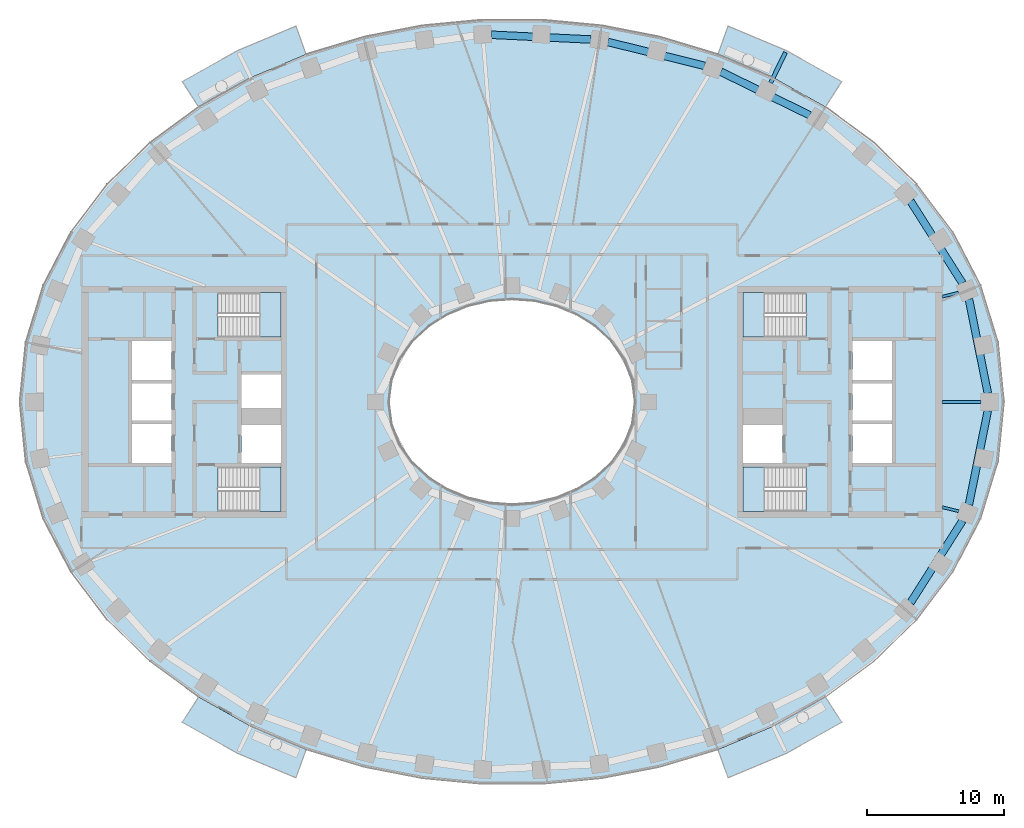
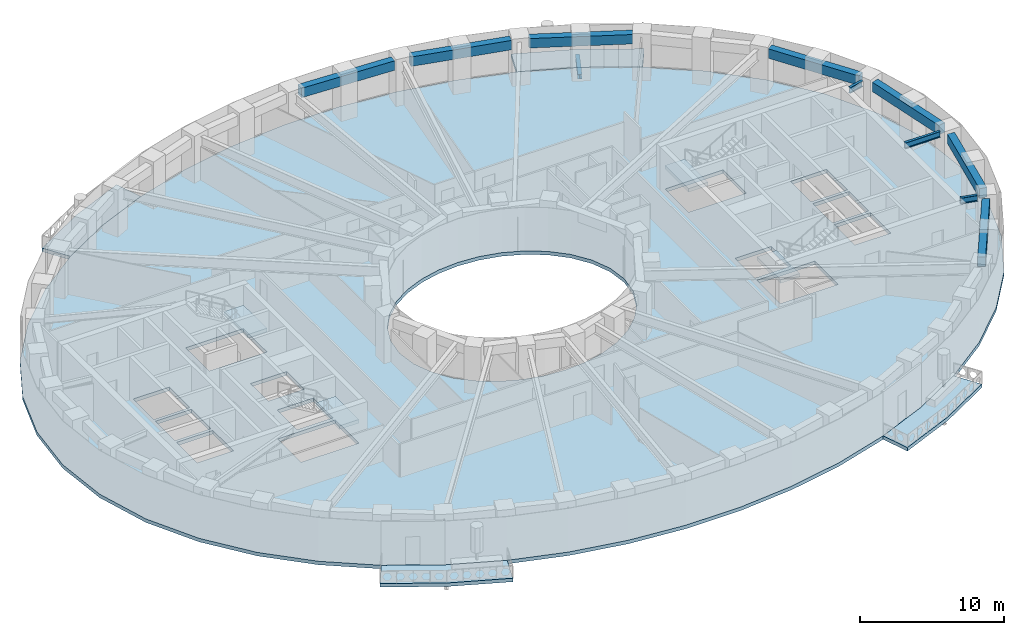
# One storey, part 2 of 15: 11 beams, 9 slabs, 4 elements without a shape of their own.
"""IFC4 building model written with IfcOpenShell, lengths in metres."""

from ifc_helpers import new_model, si_unit, direction, frame, origin, origin_2d, place, context, subcontext, project, spatial, polyline, rectangle, i_section, outline, extrude, material, layer, layer_set, material_profile, profile_set, type_object, element, aggregate, save


model = new_model("IFC4")

# Units and contexts
model_context = context("Model", 3, precision=1e-05, world=origin(), true_north=direction((0.0, 1.0)))
body_context = subcontext(model_context, "Body", "Model", "MODEL_VIEW")
ifc_project = project(units=[si_unit("LENGTHUNIT", "METRE"), si_unit("AREAUNIT", "SQUARE_METRE"), si_unit("VOLUMEUNIT", "CUBIC_METRE"), si_unit("PLANEANGLEUNIT", "RADIAN"), si_unit("MASSUNIT", "GRAM", prefix="KILO")], contexts=[model_context])

# Site, building, storey
site_placement = place(None, origin())
site = spatial("IfcSite", under=ifc_project, at=site_placement, CompositionType="ELEMENT")
building_placement = place(site_placement, origin())
building = spatial("IfcBuilding", under=site, at=building_placement, Name="Noorbagh Ring Tower", CompositionType="ELEMENT")
storey_placement = place(building_placement, frame((0.0, 0.0, 104.0)))
storey = spatial("IfcBuildingStorey", under=building, at=storey_placement, Name="L23", CompositionType="ELEMENT", Elevation=104.0)

# Beams
ifc_material_1 = material(Name="Steel S355", Category="steel")
ifc_material_profile_1 = material_profile(ifc_material_1, i_section(OverallWidth=0.300048828125, OverallDepth=0.39990234375, WebThickness=0.013427734375, FlangeThickness=0.02392578125, FilletRadius=0.027099609375, at=origin_2d()), Name="HEB400")
ifc_profile_set_1 = profile_set([ifc_material_profile_1], Name="Steel S355")
beam_type_1 = type_object("IfcBeamType", Name="STR-BALCONY-BRACKET-HEB400", PredefinedType="BEAM", material=ifc_profile_set_1)
beam_1_placement = place(storey_placement, frame((18.923095703125, 23.351318359375, -0.5), z_axis=(0.439226053648, 0.89837657683, 0.0), x_axis=(-0.89837657683, 0.439226053648, 0.0)))
element("IfcBeam", 1, at=beam_1_placement, inside=storey, type_object=beam_type_1, Name="Balcony bracket beam BN02", PredefinedType="BEAM", context=body_context, shape_type="SweptSolid", body=[
    extrude(i_section(OverallWidth=0.300048828125, OverallDepth=0.39990234375, WebThickness=0.013427734375, FlangeThickness=0.02392578125, FilletRadius=0.027099609375, at=origin_2d()), origin(), (0.0, 0.0, 1.0), 2.47509765625),
])
ifc_material_2 = material(Name="Steel S355", Category="steel")
ifc_material_profile_2 = material_profile(ifc_material_2, i_section(OverallWidth=0.199951171875, OverallDepth=0.5, WebThickness=0.01025390625, FlangeThickness=0.01611328125, FilletRadius=0.02099609375, at=origin_2d()), Name="IPE500")
ifc_profile_set_2 = profile_set([ifc_material_profile_2], Name="Steel S355")
beam_type_2 = type_object("IfcBeamType", Name="STR-RAD-IPE500", PredefinedType="BEAM", material=ifc_profile_set_2)
beam_2_placement = place(storey_placement, frame((34.314697265625, 0.0, 3.449951171875), z_axis=(-1.0, 0.0, 0.0), x_axis=(0.0, -1.0, 0.0)))
element("IfcBeam", 2, at=beam_2_placement, inside=storey, type_object=beam_type_2, Name="L23/bm/RD01", PredefinedType="BEAM", context=body_context, shape_type="SweptSolid", body=[
    extrude(i_section(OverallWidth=0.199951171875, OverallDepth=0.5, WebThickness=0.01025390625, FlangeThickness=0.01611328125, FilletRadius=0.02099609375, at=origin_2d()), origin(), (0.0, 0.0, 1.0), 2.834716796875),
])
for number, where, z_axis, x_axis, name in (
    (3, (32.686279296875, 7.997802734375, 3.449951171875), (-0.971367746696, -0.237580935009, 0.0), (0.237580935009, -0.971367746696, 0.0), "L23/bm/RD03"),
    (4, (32.686279296875, -7.997802734375, 3.449951171875), (-0.971367746696, 0.237580935009, 0.0), (-0.237580935009, -0.971367746696, 0.0), "L23/bm/RD45"),
):
    element("IfcBeam", number, at=place(storey_placement, frame(where, z_axis=z_axis, x_axis=x_axis)), inside=storey, type_object=beam_type_2, Name=name, PredefinedType="BEAM", context=body_context, shape_type="SweptSolid", body=[
        extrude(i_section(OverallWidth=0.199951171875, OverallDepth=0.5, WebThickness=0.01025390625, FlangeThickness=0.01611328125, FilletRadius=0.02099609375, at=origin_2d()), origin(), (0.0, 0.0, 1.0), 1.241455078125),
    ])
ifc_material_3 = material(Name="Concrete C40/50", Category="concrete")
ifc_material_profile_3 = material_profile(ifc_material_3, rectangle(XDim=0.550048828125, YDim=0.800048828125, at=origin_2d()), Name="RC550x800")
ifc_profile_set_3 = profile_set([ifc_material_profile_3], Name="Concrete C40/50")
beam_type_3 = type_object("IfcBeamType", Name="STR-SB-RC550x800-C40-50", PredefinedType="BEAM", material=ifc_profile_set_3)
beam_3_placement = place(storey_placement, frame((34.81787109375, 0.63037109375, 3.300048828125), z_axis=(-0.197218334535, 0.980359591437, 0.0), x_axis=(-0.980359591437, -0.197218334535, 0.0)))
element("IfcBeam", 5, at=beam_3_placement, inside=storey, type_object=beam_type_3, Name="L23/bm/SP01", PredefinedType="BEAM", context=body_context, shape_type="SweptSolid", body=[
    extrude(rectangle(XDim=0.550048828125, YDim=0.800048828125, at=origin_2d()), origin(), (0.0, 0.0, 1.0), 7.027587890625),
])
beam_4_placement = place(storey_placement, frame((32.962646484375, 8.690185546875, 3.300048828125), z_axis=(-0.535215588854, 0.844715498525, 0.0), x_axis=(-0.844715498525, -0.535215588854, 0.0)))
element("IfcBeam", 6, at=beam_4_placement, inside=storey, type_object=beam_type_3, Name="L23/bm/SP03", PredefinedType="BEAM", context=body_context, shape_type="SweptSolid", body=[
    extrude(rectangle(XDim=0.550048828125, YDim=0.800048828125, at=origin_2d()), origin(), (0.0, 0.0, 1.0), 7.104248046875),
])
beam_5_placement = place(storey_placement, frame((21.7919921875, 20.978759765625, 3.300048828125), z_axis=(-0.898412117145, 0.43915335336, 0.0), x_axis=(-0.43915335336, -0.898412117145, 0.0)))
element("IfcBeam", 7, at=beam_5_placement, inside=storey, type_object=beam_type_3, Name="L23/bm/SP07", PredefinedType="BEAM", context=body_context, shape_type="SweptSolid", body=[
    extrude(rectangle(XDim=0.550048828125, YDim=0.800048828125, at=origin_2d()), origin(), (0.0, 0.0, 1.0), 7.249267578125),
])
beam_6_placement = place(storey_placement, frame((14.094482421875, 24.5927734375, 3.300048828125), z_axis=(-0.970826778955, 0.239781911877, 0.0), x_axis=(-0.239781911877, -0.970826778955, 0.0)))
element("IfcBeam", 8, at=beam_6_placement, inside=storey, type_object=beam_type_3, Name="L23/bm/SP09", PredefinedType="BEAM", context=body_context, shape_type="SweptSolid", body=[
    extrude(rectangle(XDim=0.550048828125, YDim=0.800048828125, at=origin_2d()), origin(), (0.0, 0.0, 1.0), 7.282958984375),
])
beam_7_placement = place(storey_placement, frame((5.77685546875, 26.52099609375, 3.300048828125), z_axis=(-0.998868894653, 0.047549251258, 0.0), x_axis=(-0.047549251258, -0.998868894653, 0.0)))
element("IfcBeam", 9, at=beam_7_placement, inside=storey, type_object=beam_type_3, Name="L23/bm/SP11", PredefinedType="BEAM", context=body_context, shape_type="SweptSolid", body=[
    extrude(rectangle(XDim=0.550048828125, YDim=0.800048828125, at=origin_2d()), origin(), (0.0, 0.0, 1.0), 7.296142578125),
])
beam_8_placement = place(storey_placement, frame((29.160400390625, -14.691162109375, 3.300048828125), z_axis=(0.535215588854, 0.844715498525, 0.0), x_axis=(-0.844715498525, 0.535215588854, 0.0)))
element("IfcBeam", 10, at=beam_8_placement, inside=storey, type_object=beam_type_3, Name="L23/bm/SP43", PredefinedType="BEAM", context=body_context, shape_type="SweptSolid", body=[
    extrude(rectangle(XDim=0.550048828125, YDim=0.800048828125, at=origin_2d()), origin(), (0.0, 0.0, 1.0), 7.104248046875),
])
beam_9_placement = place(storey_placement, frame((33.431884765625, -7.52001953125, 3.300048828125), z_axis=(0.197218334535, 0.980359591437, 0.0), x_axis=(-0.980359591437, 0.197218334535, 0.0)))
element("IfcBeam", 11, at=beam_9_placement, inside=storey, type_object=beam_type_3, Name="L23/bm/SP45", PredefinedType="BEAM", context=body_context, shape_type="SweptSolid", body=[
    extrude(rectangle(XDim=0.550048828125, YDim=0.800048828125, at=origin_2d()), origin(), (0.0, 0.0, 1.0), 7.027587890625),
])

# Stair, slab
ifc_material_4 = material(Name="Concrete C40/50", Category="concrete")
stair_type = type_object("IfcStairType", Name="CORE-STAIR", PredefinedType="HALF_TURN_STAIR", material=ifc_material_4)
stair_1_placement = place(storey_placement, origin())
stair_1 = element("IfcStair", 12, at=stair_1_placement, inside=storey, type_object=stair_type, Name="L23 Exit stair ST1", PredefinedType="HALF_TURN_STAIR")
ifc_material_5 = material(Name="Concrete C40/50", Category="concrete")
ifc_layer_1 = layer(ifc_material_5, 0.300048828125)
ifc_layer_set_1 = layer_set([ifc_layer_1], Name="Concrete C40/50")
slab_type_1 = type_object("IfcSlabType", Name="CORE-STAIR-LANDING", PredefinedType="LANDING", material=ifc_layer_set_1)
slab_1_placement = place(storey_placement, frame((0.0, 0.0, 1.699951171875)))
slab_1 = element("IfcSlab", 13, at=slab_1_placement, type_object=slab_type_1, Name="ST1 landing 1", PredefinedType="LANDING", context=body_context, shape_type="SweptSolid", body=[
    extrude(outline(polyline([(-18.449951171875, 4.75), (-16.89990234375, 4.75), (-16.89990234375, 8.0), (-18.449951171875, 8.0), (-18.449951171875, 4.75)])), origin(), (0.0, 0.0, 1.0), 0.300048828125),
])
aggregate(stair_1, [slab_1])

stair_2_placement = place(storey_placement, origin())
stair_2 = element("IfcStair", 14, at=stair_2_placement, inside=storey, type_object=stair_type, Name="L23 Exit stair ST2", PredefinedType="HALF_TURN_STAIR")
slab_2_placement = place(storey_placement, frame((0.0, 0.0, 1.699951171875)))
slab_2 = element("IfcSlab", 15, at=slab_2_placement, type_object=slab_type_1, Name="ST2 landing 1", PredefinedType="LANDING", context=body_context, shape_type="SweptSolid", body=[
    extrude(outline(polyline([(-18.449951171875, -8.0), (-16.89990234375, -8.0), (-16.89990234375, -4.75), (-18.449951171875, -4.75), (-18.449951171875, -8.0)])), origin(), (0.0, 0.0, 1.0), 0.300048828125),
])
aggregate(stair_2, [slab_2])

stair_3_placement = place(storey_placement, origin())
stair_3 = element("IfcStair", 16, at=stair_3_placement, inside=storey, type_object=stair_type, Name="L23 Exit stair ST3", PredefinedType="HALF_TURN_STAIR")
slab_3_placement = place(storey_placement, frame((0.0, 0.0, 1.699951171875)))
slab_3 = element("IfcSlab", 17, at=slab_3_placement, type_object=slab_type_1, Name="ST3 landing 1", PredefinedType="LANDING", context=body_context, shape_type="SweptSolid", body=[
    extrude(outline(polyline([(18.449951171875, 8.0), (16.89990234375, 8.0), (16.89990234375, 4.75), (18.449951171875, 4.75), (18.449951171875, 8.0)])), origin(), (0.0, 0.0, 1.0), 0.300048828125),
])
aggregate(stair_3, [slab_3])

stair_4_placement = place(storey_placement, origin())
stair_4 = element("IfcStair", 18, at=stair_4_placement, inside=storey, type_object=stair_type, Name="L23 Exit stair ST4", PredefinedType="HALF_TURN_STAIR")
slab_4_placement = place(storey_placement, frame((0.0, 0.0, 1.699951171875)))
slab_4 = element("IfcSlab", 19, at=slab_4_placement, type_object=slab_type_1, Name="ST4 landing 1", PredefinedType="LANDING", context=body_context, shape_type="SweptSolid", body=[
    extrude(outline(polyline([(18.449951171875, -4.75), (16.89990234375, -4.75), (16.89990234375, -8.0), (18.449951171875, -8.0), (18.449951171875, -4.75)])), origin(), (0.0, 0.0, 1.0), 0.300048828125),
])
aggregate(stair_4, [slab_4])

# Slabs
ifc_material_6 = material(Name="Concrete C40/50", Category="concrete")
ifc_layer_2 = layer(ifc_material_6, 0.300048828125)
ifc_layer_set_2 = layer_set([ifc_layer_2], Name="Concrete C40/50")
slab_type_2 = type_object("IfcSlabType", Name="ENV-BALCONY DECK 300", PredefinedType="FLOOR", material=ifc_layer_set_2)
slab_5_placement = place(storey_placement, frame((0.0, 0.0, -0.300048828125)))
element("IfcSlab", 20, at=slab_5_placement, inside=storey, type_object=slab_type_2, Name="Tree balcony deck BN02", PredefinedType="FLOOR", context=body_context, shape_type="SweptSolid", body=[
    extrude(outline(polyline([(24.1279296875, 23.435791015625), (20.076171875, 25.709716796875), (15.810791015625, 27.50341796875), (15.0654296875, 25.430419921875), (19.108154296875, 23.730224609375), (22.9326171875, 21.583740234375), (24.1279296875, 23.435791015625)])), origin(), (0.0, 0.0, 1.0), 0.300048828125),
])
slab_6_placement = place(storey_placement, frame((0.0, 0.0, -0.300048828125)))
element("IfcSlab", 21, at=slab_6_placement, inside=storey, type_object=slab_type_2, Name="Tree balcony deck BN05", PredefinedType="FLOOR", context=body_context, shape_type="SweptSolid", body=[
    extrude(outline(polyline([(-15.810791015625, 27.50341796875), (-20.076171875, 25.709716796875), (-24.1279296875, 23.435791015625), (-22.9326171875, 21.583740234375), (-19.108154296875, 23.730224609375), (-15.0654296875, 25.430419921875), (-15.810791015625, 27.50341796875)])), origin(), (0.0, 0.0, 1.0), 0.300048828125),
])
slab_7_placement = place(storey_placement, frame((0.0, 0.0, -0.300048828125)))
element("IfcSlab", 22, at=slab_7_placement, inside=storey, type_object=slab_type_2, Name="Tree balcony deck BS02", PredefinedType="FLOOR", context=body_context, shape_type="SweptSolid", body=[
    extrude(outline(polyline([(-24.1279296875, -23.435791015625), (-20.076171875, -25.709716796875), (-15.810791015625, -27.50341796875), (-15.0654296875, -25.430419921875), (-19.108154296875, -23.730224609375), (-22.9326171875, -21.583740234375), (-24.1279296875, -23.435791015625)])), origin(), (0.0, 0.0, 1.0), 0.300048828125),
])
slab_8_placement = place(storey_placement, frame((0.0, 0.0, -0.300048828125)))
element("IfcSlab", 23, at=slab_8_placement, inside=storey, type_object=slab_type_2, Name="Tree balcony deck BS05", PredefinedType="FLOOR", context=body_context, shape_type="SweptSolid", body=[
    extrude(outline(polyline([(15.810791015625, -27.50341796875), (20.076171875, -25.709716796875), (24.1279296875, -23.435791015625), (22.9326171875, -21.583740234375), (19.108154296875, -23.730224609375), (15.0654296875, -25.430419921875), (15.810791015625, -27.50341796875)])), origin(), (0.0, 0.0, 1.0), 0.300048828125),
])
ifc_material_7 = material(Name="Concrete C40/50", Category="concrete")
ifc_layer_3 = layer(ifc_material_7, 0.300048828125)
ifc_layer_set_3 = layer_set([ifc_layer_3], Name="Concrete C40/50")
slab_type_3 = type_object("IfcSlabType", Name="STR-FLOOR-DECK-300", PredefinedType="FLOOR", material=ifc_layer_set_3)
slab_9_placement = place(storey_placement, frame((0.0, 0.0, -0.300048828125)))
element("IfcSlab", 24, at=slab_9_placement, inside=storey, type_object=slab_type_3, Name="L23/slab/1", PredefinedType="FLOOR", context=body_context, shape_type="SweptSolid", body=[
    extrude(outline(polyline([(36.0, 0.0), (35.56103515625, 4.358642578125), (34.281005859375, 8.548828125), (32.255126953125, 12.434814453125), (29.607666015625, 15.92822265625), (26.463134765625, 18.983154296875), (22.9326171875, 21.583740234375), (19.108154296875, 23.730224609375), (15.0654296875, 25.430419921875), (10.865234375, 26.6943359375), (6.5595703125, 27.53125), (2.193115234375, 27.947998046875), (-2.193115234375, 27.947998046875), (-6.5595703125, 27.53125), (-10.865234375, 26.6943359375), (-15.0654296875, 25.430419921875), (-19.108154296875, 23.730224609375), (-22.9326171875, 21.583740234375), (-26.463134765625, 18.983154296875), (-29.607666015625, 15.92822265625), (-32.255126953125, 12.434814453125), (-34.281005859375, 8.548828125), (-35.56103515625, 4.358642578125), (-36.0, 0.0), (-35.56103515625, -4.358642578125), (-34.281005859375, -8.548828125), (-32.255126953125, -12.434814453125), (-29.607666015625, -15.92822265625), (-26.463134765625, -18.983154296875), (-22.9326171875, -21.583740234375), (-19.108154296875, -23.730224609375), (-15.0654296875, -25.430419921875), (-10.865234375, -26.6943359375), (-6.5595703125, -27.53125), (-2.193115234375, -27.947998046875), (2.193115234375, -27.947998046875), (6.5595703125, -27.53125), (10.865234375, -26.6943359375), (15.0654296875, -25.430419921875), (19.108154296875, -23.730224609375), (22.9326171875, -21.583740234375), (26.463134765625, -18.983154296875), (29.607666015625, -15.92822265625), (32.255126953125, -12.434814453125), (34.281005859375, -8.548828125), (35.56103515625, -4.358642578125), (36.0, 0.0)]), holes=[polyline([(24.89990234375, -1.60009765625), (27.800048828125, -1.60009765625), (27.800048828125, -4.449951171875), (24.89990234375, -4.449951171875), (24.89990234375, -1.60009765625)]), polyline([(24.89990234375, 1.35009765625), (27.800048828125, 1.35009765625), (27.800048828125, -1.35009765625), (24.89990234375, -1.35009765625), (24.89990234375, 1.35009765625)]), polyline([(24.89990234375, 4.449951171875), (27.800048828125, 4.449951171875), (27.800048828125, 1.60009765625), (24.89990234375, 1.60009765625), (24.89990234375, 4.449951171875)]), polyline([(21.529541015625, -4.75), (21.529541015625, -8.0), (16.89990234375, -8.0), (16.89990234375, -4.75), (21.529541015625, -4.75)]), polyline([(21.529541015625, 4.75), (16.89990234375, 4.75), (16.89990234375, 8.0), (21.529541015625, 8.0), (21.529541015625, 4.75)]), polyline([(16.89990234375, -1.699951171875), (19.800048828125, -1.699951171875), (19.800048828125, -4.449951171875), (16.89990234375, -4.449951171875), (16.89990234375, -1.699951171875)]), polyline([(4.697509765625, -6.3974609375), (3.196533203125, -7.010986328125), (1.6171875, -7.3779296875), (0.0, -7.5), (-1.6171875, -7.3779296875), (-3.196533203125, -7.010986328125), (-4.697509765625, -6.3974609375), (-6.071044921875, -5.53662109375), (-7.2587890625, -4.43408203125), (-8.1904296875, -3.10888671875), (-8.79150390625, -1.605224609375), (-9.0, 0.0), (-8.79150390625, 1.605224609375), (-8.1904296875, 3.10888671875), (-7.2587890625, 4.43408203125), (-6.071044921875, 5.53662109375), (-4.697509765625, 6.3974609375), (-3.196533203125, 7.010986328125), (-1.6171875, 7.3779296875), (0.0, 7.5), (1.6171875, 7.3779296875), (3.196533203125, 7.010986328125), (4.697509765625, 6.3974609375), (6.071044921875, 5.53662109375), (7.2587890625, 4.43408203125), (8.1904296875, 3.10888671875), (8.79150390625, 1.605224609375), (9.0, 0.0), (8.79150390625, -1.605224609375), (8.1904296875, -3.10888671875), (7.2587890625, -4.43408203125), (6.071044921875, -5.53662109375), (4.697509765625, -6.3974609375)]), polyline([(-21.529541015625, -8.0), (-21.529541015625, -4.75), (-16.89990234375, -4.75), (-16.89990234375, -8.0), (-21.529541015625, -8.0)]), polyline([(-21.529541015625, 8.0), (-16.89990234375, 8.0), (-16.89990234375, 4.75), (-21.529541015625, 4.75), (-21.529541015625, 8.0)]), polyline([(-16.89990234375, -4.449951171875), (-19.800048828125, -4.449951171875), (-19.800048828125, -1.699951171875), (-16.89990234375, -1.699951171875), (-16.89990234375, -4.449951171875)]), polyline([(-16.89990234375, -0.449951171875), (-19.800048828125, -0.449951171875), (-19.800048828125, 2.0), (-16.89990234375, 2.0), (-16.89990234375, -0.449951171875)]), polyline([(-24.89990234375, -4.449951171875), (-27.800048828125, -4.449951171875), (-27.800048828125, -1.60009765625), (-24.89990234375, -1.60009765625), (-24.89990234375, -4.449951171875)]), polyline([(-24.89990234375, -1.35009765625), (-27.800048828125, -1.35009765625), (-27.800048828125, 1.35009765625), (-24.89990234375, 1.35009765625), (-24.89990234375, -1.35009765625)]), polyline([(-24.89990234375, 1.60009765625), (-27.800048828125, 1.60009765625), (-27.800048828125, 4.449951171875), (-24.89990234375, 4.449951171875), (-24.89990234375, 1.60009765625)])]), origin(), (0.0, 0.0, 1.0), 0.300048828125),
])

save(model, "model.ifc")
